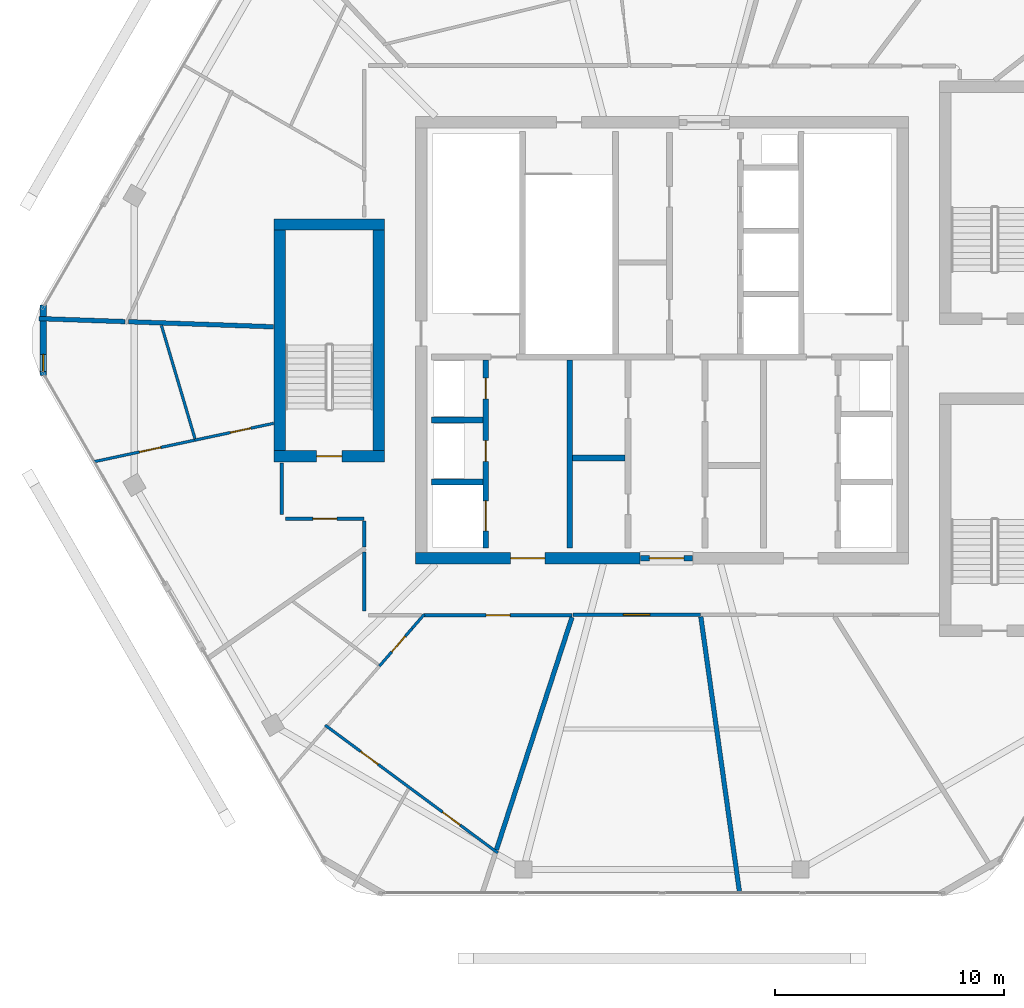
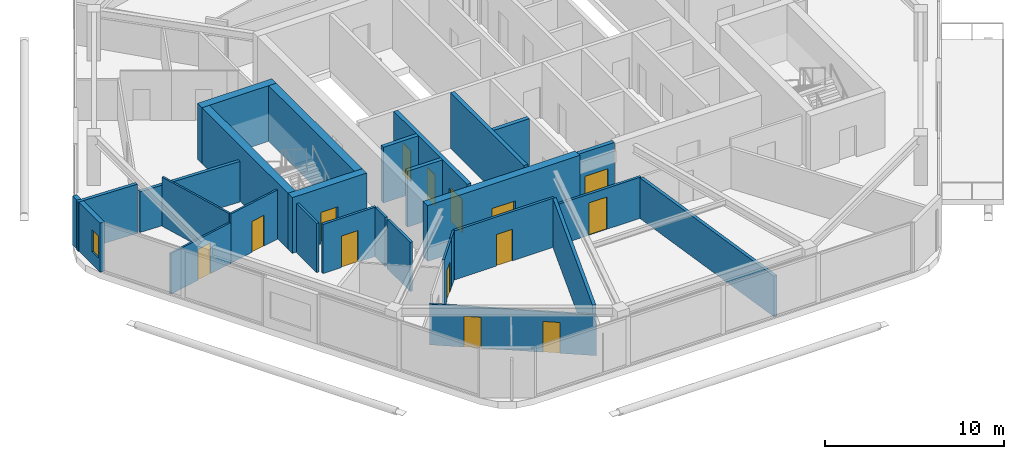
# One storey, part 16 of 22: 28 walls, 14 doors, 1 window, 15 openings.
"""IFC4 building model written with IfcOpenShell, lengths in metres."""

from ifc_helpers import new_model, si_unit, direction, frame, frame_2d, origin, place, context, subcontext, project, spatial, rectangle, extrude, material, layer, layer_set, type_object, element, fill, save


model = new_model("IFC4")

# Units and contexts
model_context = context("Model", 3, precision=1e-05, world=origin(), true_north=direction((0.0, 1.0)))
body_context = subcontext(model_context, "Body", "Model", "MODEL_VIEW")
ifc_project = project(units=[si_unit("LENGTHUNIT", "METRE"), si_unit("AREAUNIT", "SQUARE_METRE"), si_unit("VOLUMEUNIT", "CUBIC_METRE"), si_unit("PLANEANGLEUNIT", "RADIAN"), si_unit("MASSUNIT", "GRAM", prefix="KILO")], contexts=[model_context])

# Site, building, storey
site_placement = place(None, origin())
site = spatial("IfcSite", under=ifc_project, at=site_placement, CompositionType="ELEMENT")
building_placement = place(site_placement, origin())
building = spatial("IfcBuilding", under=site, at=building_placement, Name="Zuhravey Tower", CompositionType="ELEMENT")
storey_placement = place(building_placement, frame((0.0, 0.0, 357.60009765625)))
storey = spatial("IfcBuildingStorey", under=building, at=storey_placement, Name="L91", CompositionType="ELEMENT", Elevation=357.60009765625)

# Wall, opening, door
ifc_material_1 = material(Name="Concrete C50/60", Category="concrete")
ifc_layer_1 = layer(ifc_material_1, 0.5)
ifc_layer_set_1 = layer_set([ifc_layer_1], Name="Concrete C50/60")
wall_type_1 = type_object("IfcWallType", Name="Core Shear Wall 500", PredefinedType="SHEAR", material=ifc_layer_set_1)
wall_1_placement = place(storey_placement, frame((25.25, 22.5, 0.0), z_axis=(0.0, 0.0, 1.0), x_axis=(1.0, 0.0, 0.0)))
wall_1 = element("IfcWall", 1, at=wall_1_placement, inside=storey, type_object=wall_type_1, Name="L91 South-West Core Shear Wall CW50", PredefinedType="SHEAR", context=body_context, shape_type="SweptSolid", body=[
    extrude(rectangle(XDim=9.800048828125, YDim=0.5, at=frame_2d((4.89990234375, 0.0))), origin(), (0.0, 0.0, 1.0), 3.7998046875),
])
opening_1_placement = place(wall_1_placement, frame((4.14990234375, 0.0, 0.0)))
opening_1 = element("IfcOpeningElement", 2, at=opening_1_placement, cuts=wall_1, Name="Opening FFD1", PredefinedType="OPENING", context=body_context, shape_type="SweptSolid", body=[
    extrude(rectangle(XDim=1.5, YDim=2.14990234375, at=frame_2d((0.75, 1.074951171875))), frame((0.0, 0.261962890625, 0.0), z_axis=(0.0, -1.0, 0.0), x_axis=(1.0, 0.0, 0.0)), (0.0, 0.0, 1.0), 0.52392578125),
])
ifc_material_2 = material(Name="Galvanised fire-rated steel leaf", Category="steel")
door_type_1 = type_object("IfcDoorType", Name="Firefighting Lobby Double Door 1500x2150", OperationType="DOUBLE_DOOR_SINGLE_SWING", PredefinedType="DOOR", material=ifc_material_2)
door_1_placement = place(opening_1_placement, origin())
door_1 = element("IfcDoor", 3, at=door_1_placement, inside=storey, type_object=door_type_1, Name="L91 Firefighting Lobby West Door", OperationType="DOUBLE_DOOR_SINGLE_SWING", OverallHeight=2.14990234375, OverallWidth=1.5, PredefinedType="DOOR", context=body_context, shape_type="SweptSolid", body=[
    extrude(rectangle(XDim=1.5, YDim=2.14990234375, at=frame_2d((0.75, 1.074951171875))), frame((0.0, 0.02490234375, 0.0), z_axis=(0.0, -1.0, 0.0), x_axis=(1.0, 0.0, 0.0)), (0.0, 0.0, 1.0), 0.050048828125),
])
fill(opening_1, door_1)

wall_2_placement = place(storey_placement, frame((19.10009765625, 26.949951171875, 0.0), z_axis=(0.0, 0.0, 1.0), x_axis=(1.0, 0.0, 0.0)))
wall_2 = element("IfcWall", 4, at=wall_2_placement, inside=storey, type_object=wall_type_1, Name="L91 CST1 South Shaft Wall", PredefinedType="SHEAR", context=body_context, shape_type="SweptSolid", body=[
    extrude(rectangle(XDim=4.7998046875, YDim=0.5, at=frame_2d((2.39990234375, 0.0))), origin(), (0.0, 0.0, 1.0), 3.7998046875),
])
opening_2_placement = place(wall_2_placement, frame((1.85009765625, 0.0, 0.0)))
opening_2 = element("IfcOpeningElement", 5, at=opening_2_placement, cuts=wall_2, Name="Opening STD1", PredefinedType="OPENING", context=body_context, shape_type="SweptSolid", body=[
    extrude(rectangle(XDim=1.10009765625, YDim=2.14990234375, at=frame_2d((0.550048828125, 1.074951171875))), frame((0.0, 0.261962890625, 0.0), z_axis=(0.0, -1.0, 0.0), x_axis=(1.0, 0.0, 0.0)), (0.0, 0.0, 1.0), 0.52392578125),
])
door_type_2 = type_object("IfcDoorType", Name="Protected Stair Fire Door 1100x2150", OperationType="NOTDEFINED", PredefinedType="USERDEFINED", material=ifc_material_2)
door_2_placement = place(opening_2_placement, origin())
door_2 = element("IfcDoor", 6, at=door_2_placement, inside=storey, type_object=door_type_2, Name="L91 CST1 Transfer Door", ObjectType="EXITDOOR", OperationType="SINGLE_SWING_LEFT", OverallHeight=2.14990234375, OverallWidth=1.10009765625, PredefinedType="USERDEFINED", context=body_context, shape_type="SweptSolid", body=[
    extrude(rectangle(XDim=1.10009765625, YDim=2.14990234375, at=frame_2d((0.550048828125, 1.074951171875))), frame((0.0, 0.02490234375, 0.0), z_axis=(0.0, -1.0, 0.0), x_axis=(1.0, 0.0, 0.0)), (0.0, 0.0, 1.0), 0.050048828125),
])
fill(opening_2, door_2)

# Walls
wall_3_placement = place(storey_placement, frame((23.89990234375, 37.050048828125, 0.0), z_axis=(0.0, 0.0, 1.0), x_axis=(-1.0, 0.0, 0.0)))
element("IfcWall", 7, at=wall_3_placement, inside=storey, type_object=wall_type_1, Name="L91 CST1 North Shaft Wall", PredefinedType="SHEAR", context=body_context, shape_type="SweptSolid", body=[
    extrude(rectangle(XDim=4.7998046875, YDim=0.5, at=frame_2d((2.39990234375, 0.0))), origin(), (0.0, 0.0, 1.0), 3.7998046875),
])
for number, where, z_axis, x_axis, name in (
    (8, (19.35009765625, 27.199951171875, 0.0), (0.0, 0.0, 1.0), (0.0, 1.0, 0.0), "L91 CST1 West Shaft Wall"),
    (9, (23.64990234375, 36.800048828125, 0.0), (0.0, 0.0, 1.0), (0.0, -1.0, 0.0), "L91 CST1 East Shaft Wall"),
):
    element("IfcWall", number, at=place(storey_placement, frame(where, z_axis=z_axis, x_axis=x_axis)), inside=storey, type_object=wall_type_1, Name=name, PredefinedType="SHEAR", context=body_context, shape_type="SweptSolid", body=[
        extrude(rectangle(XDim=9.60009765625, YDim=0.5, at=frame_2d((4.800048828125, 0.0))), origin(), (0.0, 0.0, 1.0), 3.7998046875),
    ])

# Wall, opening, door
ifc_material_3 = material(Name="Gypsum fire-rated stud partition")
ifc_layer_2 = layer(ifc_material_3, 0.159912109375)
ifc_layer_set_2 = layer_set([ifc_layer_2], Name="Gypsum fire-rated stud partition")
wall_type_2 = type_object("IfcWallType", Name="Corridor Fire Partition 160", PredefinedType="PARTITIONING", material=ifc_layer_set_2)
wall_4_placement = place(storey_placement, frame((19.60009765625, 24.219970703125, 0.0), z_axis=(0.0, 0.0, 1.0), x_axis=(1.0, 0.0, 0.0)))
wall_4 = element("IfcWall", 10, at=wall_4_placement, inside=storey, type_object=wall_type_2, Name="L91 IW16 Partition 037", PredefinedType="PARTITIONING", context=body_context, shape_type="SweptSolid", body=[
    extrude(rectangle(XDim=3.419921875, YDim=0.159912109375, at=frame_2d((1.7099609375, 0.0))), origin(), (0.0, 0.0, 1.0), 3.349853515625),
])
opening_3_placement = place(wall_4_placement, frame((1.18505859375, 0.0, 0.0)))
opening_3 = element("IfcOpeningElement", 11, at=opening_3_placement, cuts=wall_4, Name="Opening APD1", PredefinedType="OPENING", context=body_context, shape_type="SweptSolid", body=[
    extrude(rectangle(XDim=1.050048828125, YDim=2.14990234375, at=frame_2d((0.52490234375, 1.074951171875))), frame((0.0, 0.092041015625, 0.0), z_axis=(0.0, -1.0, 0.0), x_axis=(1.0, 0.0, 0.0)), (0.0, 0.0, 1.0), 0.183837890625),
])
ifc_material_4 = material(Name="Solid-core oak fire-rated leaf")
door_type_3 = type_object("IfcDoorType", Name="Apartment Entrance Fire Door 1050x2150", OperationType="NOTDEFINED", PredefinedType="DOOR", material=ifc_material_4)
door_3_placement = place(opening_3_placement, frame((1.050048828125, 0.0, 0.0), z_axis=(0.0, 0.0, 1.0), x_axis=(-1.0, 0.0, 0.0)))
door_3 = element("IfcDoor", 12, at=door_3_placement, inside=storey, type_object=door_type_3, Name="L91 Door 037.1", OperationType="SINGLE_SWING_RIGHT", OverallHeight=2.14990234375, OverallWidth=1.050048828125, PredefinedType="DOOR", context=body_context, shape_type="SweptSolid", body=[
    extrude(rectangle(XDim=1.050048828125, YDim=2.14990234375, at=frame_2d((0.52490234375, 1.074951171875))), frame((0.0, 0.02490234375, 0.0), z_axis=(0.0, -1.0, 0.0), x_axis=(1.0, 0.0, 0.0)), (0.0, 0.0, 1.0), 0.050048828125),
])
fill(opening_3, door_3)

wall_5_placement = place(storey_placement, frame((25.634521484375, 20.02001953125, 0.0), z_axis=(0.0, 0.0, 1.0), x_axis=(1.0, 0.0, 0.0)))
wall_5 = element("IfcWall", 13, at=wall_5_placement, inside=storey, type_object=wall_type_2, Name="L91 IW16 Partition 042", PredefinedType="PARTITIONING", context=body_context, shape_type="SweptSolid", body=[
    extrude(rectangle(XDim=6.451904296875, YDim=0.159912109375, at=frame_2d((3.22607421875, 0.0))), origin(), (0.0, 0.0, 1.0), 3.349853515625),
])
opening_4_placement = place(wall_5_placement, frame((2.700927734375, 0.0, 0.0)))
opening_4 = element("IfcOpeningElement", 14, at=opening_4_placement, cuts=wall_5, Name="Opening APD1", PredefinedType="OPENING", context=body_context, shape_type="SweptSolid", body=[
    extrude(rectangle(XDim=1.050048828125, YDim=2.14990234375, at=frame_2d((0.52490234375, 1.074951171875))), frame((0.0, 0.092041015625, 0.0), z_axis=(0.0, -1.0, 0.0), x_axis=(1.0, 0.0, 0.0)), (0.0, 0.0, 1.0), 0.183837890625),
])
door_4_placement = place(opening_4_placement, frame((1.050048828125, 0.0, 0.0), z_axis=(0.0, 0.0, 1.0), x_axis=(-1.0, 0.0, 0.0)))
door_4 = element("IfcDoor", 15, at=door_4_placement, inside=storey, type_object=door_type_3, Name="L91 Door 042.1", OperationType="SINGLE_SWING_LEFT", OverallHeight=2.14990234375, OverallWidth=1.050048828125, PredefinedType="DOOR", context=body_context, shape_type="SweptSolid", body=[
    extrude(rectangle(XDim=1.050048828125, YDim=2.14990234375, at=frame_2d((0.52490234375, 1.074951171875))), frame((0.0, 0.02490234375, 0.0), z_axis=(0.0, -1.0, 0.0), x_axis=(1.0, 0.0, 0.0)), (0.0, 0.0, 1.0), 0.050048828125),
])
fill(opening_4, door_4)

wall_6_placement = place(storey_placement, frame((32.114013671875, 20.0400390625, 0.0), z_axis=(0.0, 0.0, 1.0), x_axis=(1.0, 0.0, 0.0)))
wall_6 = element("IfcWall", 16, at=wall_6_placement, inside=storey, type_object=wall_type_2, Name="L91 IW16 Partition 043", PredefinedType="PARTITIONING", context=body_context, shape_type="SweptSolid", body=[
    extrude(rectangle(XDim=5.56689453125, YDim=0.159912109375, at=frame_2d((2.783447265625, 0.0))), origin(), (0.0, 0.0, 1.0), 2.7998046875),
])
opening_5_placement = place(wall_6_placement, frame((2.20849609375, 0.0, 0.0)))
opening_5 = element("IfcOpeningElement", 17, at=opening_5_placement, cuts=wall_6, Name="Opening CLD1", PredefinedType="OPENING", context=body_context, shape_type="SweptSolid", body=[
    extrude(rectangle(XDim=1.14990234375, YDim=2.199951171875, at=frame_2d((0.574951171875, 1.10009765625))), frame((0.0, 0.092041015625, 0.0), z_axis=(0.0, -1.0, 0.0), x_axis=(1.0, 0.0, 0.0)), (0.0, 0.0, 1.0), 0.183837890625),
])
ifc_material_5 = material(Name="Acoustic timber leaf with vision lite", Category="wood")
door_type_4 = type_object("IfcDoorType", Name="Classroom Acoustic Door 1150x2200", OperationType="NOTDEFINED", PredefinedType="DOOR", material=ifc_material_5)
door_5_placement = place(opening_5_placement, frame((1.14990234375, 0.0, 0.0), z_axis=(0.0, 0.0, 1.0), x_axis=(-1.0, 0.0, 0.0)))
door_5 = element("IfcDoor", 18, at=door_5_placement, inside=storey, type_object=door_type_4, Name="L91 Door 043.1", OperationType="SINGLE_SWING_RIGHT", OverallHeight=2.199951171875, OverallWidth=1.14990234375, PredefinedType="DOOR", context=body_context, shape_type="SweptSolid", body=[
    extrude(rectangle(XDim=1.14990234375, YDim=2.199951171875, at=frame_2d((0.574951171875, 1.10009765625))), frame((0.0, 0.02490234375, 0.0), z_axis=(0.0, -1.0, 0.0), x_axis=(1.0, 0.0, 0.0)), (0.0, 0.0, 1.0), 0.050048828125),
])
fill(opening_5, door_5)

# Walls
wall_7_placement = place(storey_placement, frame((19.419921875, 26.64990234375, 0.0), z_axis=(0.0, 0.0, 1.0), x_axis=(0.0, -1.0, 0.0)))
element("IfcWall", 19, at=wall_7_placement, inside=storey, type_object=wall_type_2, Name="L91 IW16 Partition 081", PredefinedType="PARTITIONING", context=body_context, shape_type="SweptSolid", body=[
    extrude(rectangle(XDim=2.25, YDim=0.159912109375, at=frame_2d((1.125, 0.0))), origin(), (0.0, 0.0, 1.0), 3.349853515625),
])
wall_8_placement = place(storey_placement, frame((23.02001953125, 24.132080078125, 0.0), z_axis=(0.0, 0.0, 1.0), x_axis=(0.0, -1.0, 0.0)))
element("IfcWall", 20, at=wall_8_placement, inside=storey, type_object=wall_type_2, Name="L91 IW16 Partition 082", PredefinedType="PARTITIONING", context=body_context, shape_type="SweptSolid", body=[
    extrude(rectangle(XDim=1.1357421875, YDim=0.159912109375, at=frame_2d((0.56787109375, 0.0))), origin(), (0.0, 0.0, 1.0), 3.349853515625),
])
wall_9_placement = place(storey_placement, frame((23.02001953125, 22.779296875, 0.0), z_axis=(0.0, 0.0, 1.0), x_axis=(0.0, -1.0, 0.0)))
element("IfcWall", 21, at=wall_9_placement, inside=storey, type_object=wall_type_2, Name="L91 IW16 Partition 083", PredefinedType="PARTITIONING", context=body_context, shape_type="SweptSolid", body=[
    extrude(rectangle(XDim=2.579345703125, YDim=0.159912109375, at=frame_2d((1.28955078125, 0.0))), origin(), (0.0, 0.0, 1.0), 3.349853515625),
])

# Wall, opening, window
ifc_material_6 = material(Name="Precast concrete C40/50", Category="concrete")
ifc_layer_3 = layer(ifc_material_6, 0.280029296875)
ifc_layer_set_3 = layer_set([ifc_layer_3], Name="Precast concrete C40/50")
wall_type_3 = type_object("IfcWallType", Name="Crown Architectural Wall 280", PredefinedType="SOLIDWALL", material=ifc_layer_set_3)
wall_10_placement = place(storey_placement, frame((9.031494140625, 30.467529296875, 0.0), z_axis=(0.0, 0.0, 1.0), x_axis=(0.0, 1.0, 0.0)))
wall_10 = element("IfcWall", 22, at=wall_10_placement, inside=storey, type_object=wall_type_3, Name="L91 Rounded Corner Closure Wall EW28-06", PredefinedType="SOLIDWALL", context=body_context, shape_type="SweptSolid", body=[
    extrude(rectangle(XDim=3.06494140625, YDim=0.280029296875, at=frame_2d((1.532470703125, 0.0))), origin(), (0.0, 0.0, 1.0), 3.349853515625),
])
opening_6_placement = place(wall_10_placement, frame((0.1728515625, 0.0, 0.85009765625)))
opening_6 = element("IfcOpeningElement", 23, at=opening_6_placement, cuts=wall_10, Name="Opening WN5", PredefinedType="OPENING", context=body_context, shape_type="SweptSolid", body=[
    extrude(rectangle(XDim=0.75, YDim=1.5, at=frame_2d((0.375, 0.75))), frame((0.0, 0.152099609375, 0.0), z_axis=(0.0, -1.0, 0.0), x_axis=(1.0, 0.0, 0.0)), (0.0, 0.0, 1.0), 0.303955078125),
])
ifc_material_7 = material(Name="Thermally broken aluminium and triple low-E glass", Category="aluminium")
window_type = type_object("IfcWindowType", Name="Residential Corner Casement Window 750x1500", PartitioningType="SINGLE_PANEL", PredefinedType="WINDOW", material=ifc_material_7)
window_placement = place(opening_6_placement, origin())
window = element("IfcWindow", 24, at=window_placement, inside=storey, type_object=window_type, Name="L91 Corner Casement Window WN5-06.1", OverallHeight=1.5, OverallWidth=0.75, PartitioningType="SINGLE_PANEL", PredefinedType="WINDOW", context=body_context, shape_type="SweptSolid", body=[
    extrude(rectangle(XDim=0.75, YDim=1.5, at=frame_2d((0.375, 0.75))), frame((0.0, 0.030029296875, 0.0), z_axis=(0.0, -1.0, 0.0), x_axis=(1.0, 0.0, 0.0)), (0.0, 0.0, 1.0), 0.06005859375),
])
fill(opening_6, window)

# Wall, opening, door
ifc_layer_4 = layer(ifc_material_1, 0.25)
ifc_layer_set_4 = layer_set([ifc_layer_4], Name="Concrete C50/60")
wall_type_4 = type_object("IfcWallType", Name="Firefighting Shaft & Stair Wall 250", PredefinedType="SOLIDWALL", material=ifc_layer_set_4)
wall_11_placement = place(storey_placement, frame((35.06005859375, 22.5, 0.0), z_axis=(0.0, 0.0, 1.0), x_axis=(1.0, 0.0, 0.0)))
wall_11 = element("IfcWall", 25, at=wall_11_placement, inside=storey, type_object=wall_type_4, Name="L91 FW25 Shaft Wall 001", PredefinedType="SOLIDWALL", context=body_context, shape_type="SweptSolid", body=[
    extrude(rectangle(XDim=2.280029296875, YDim=0.25, at=frame_2d((1.14013671875, 0.0))), origin(), (0.0, 0.0, 1.0), 3.7998046875),
])
opening_7_placement = place(wall_11_placement, frame((0.389892578125, 0.0, 0.0)))
opening_7 = element("IfcOpeningElement", 26, at=opening_7_placement, cuts=wall_11, Name="Opening FFD1", PredefinedType="OPENING", context=body_context, shape_type="SweptSolid", body=[
    extrude(rectangle(XDim=1.5, YDim=2.14990234375, at=frame_2d((0.75, 1.074951171875))), frame((0.0, 0.136962890625, 0.0), z_axis=(0.0, -1.0, 0.0), x_axis=(1.0, 0.0, 0.0)), (0.0, 0.0, 1.0), 0.27392578125),
])
door_6_placement = place(opening_7_placement, frame((1.5, 0.0, 0.0), z_axis=(0.0, 0.0, 1.0), x_axis=(-1.0, 0.0, 0.0)))
door_6 = element("IfcDoor", 27, at=door_6_placement, inside=storey, type_object=door_type_1, Name="L91 South Lift Lobby Exit Door", OperationType="DOUBLE_DOOR_SINGLE_SWING", OverallHeight=2.14990234375, OverallWidth=1.5, PredefinedType="DOOR", context=body_context, shape_type="SweptSolid", body=[
    extrude(rectangle(XDim=1.5, YDim=2.14990234375, at=frame_2d((0.75, 1.074951171875))), frame((0.0, 0.02490234375, 0.0), z_axis=(0.0, -1.0, 0.0), x_axis=(1.0, 0.0, 0.0)), (0.0, 0.0, 1.0), 0.050048828125),
])
fill(opening_7, door_6)

# Walls
for number, where, z_axis, x_axis, name in (
    (28, (25.949951171875, 25.824951171875, 0.0), (0.0, 0.0, 1.0), (1.0, 0.0, 0.0), "L91 FW25 Shaft Wall 009"),
    (29, (25.949951171875, 28.52490234375, 0.0), (0.0, 0.0, 1.0), (1.0, 0.0, 0.0), "L91 FW25 Shaft Wall 010"),
):
    element("IfcWall", number, at=place(storey_placement, frame(where, z_axis=z_axis, x_axis=x_axis)), inside=storey, type_object=wall_type_4, Name=name, PredefinedType="SOLIDWALL", context=body_context, shape_type="SweptSolid", body=[
        extrude(rectangle(XDim=2.25, YDim=0.25, at=frame_2d((1.125, 0.0))), origin(), (0.0, 0.0, 1.0), 3.7998046875),
    ])

# Wall, openings, doors
wall_12_placement = place(storey_placement, frame((28.324951171875, 22.949951171875, 0.0), z_axis=(0.0, 0.0, 1.0), x_axis=(0.0, 1.0, 0.0)))
wall_12 = element("IfcWall", 30, at=wall_12_placement, inside=storey, type_object=wall_type_4, Name="L91 FW25 Shaft Wall 011", PredefinedType="SOLIDWALL", context=body_context, shape_type="SweptSolid", body=[
    extrude(rectangle(XDim=8.199951171875, YDim=0.25, at=frame_2d((4.10009765625, 0.0))), origin(), (0.0, 0.0, 1.0), 3.7998046875),
])
opening_8_placement = place(wall_12_placement, frame((0.75, 0.0, 0.0)))
opening_8 = element("IfcOpeningElement", 31, at=opening_8_placement, cuts=wall_12, Name="Opening LD2", PredefinedType="OPENING", context=body_context, shape_type="SweptSolid", body=[
    extrude(rectangle(XDim=1.300048828125, YDim=2.300048828125, at=frame_2d((0.64990234375, 1.14990234375))), frame((0.0, 0.136962890625, 0.0), z_axis=(0.0, -1.0, 0.0), x_axis=(1.0, 0.0, 0.0)), (0.0, 0.0, 1.0), 0.27392578125),
])
opening_9_placement = place(wall_12_placement, frame((3.780029296875, 0.0, 0.0)))
opening_9 = element("IfcOpeningElement", 32, at=opening_9_placement, cuts=wall_12, Name="Opening RSD1", PredefinedType="OPENING", context=body_context, shape_type="SweptSolid", body=[
    extrude(rectangle(XDim=0.89990234375, YDim=2.10009765625, at=frame_2d((0.449951171875, 1.050048828125))), frame((0.0, 0.136962890625, 0.0), z_axis=(0.0, -1.0, 0.0), x_axis=(1.0, 0.0, 0.0)), (0.0, 0.0, 1.0), 0.27392578125),
])
opening_10_placement = place(wall_12_placement, frame((6.5, 0.0, 0.0)))
opening_10 = element("IfcOpeningElement", 33, at=opening_10_placement, cuts=wall_12, Name="Opening RSD1", PredefinedType="OPENING", context=body_context, shape_type="SweptSolid", body=[
    extrude(rectangle(XDim=0.89990234375, YDim=2.10009765625, at=frame_2d((0.449951171875, 1.050048828125))), frame((0.0, 0.136962890625, 0.0), z_axis=(0.0, -1.0, 0.0), x_axis=(1.0, 0.0, 0.0)), (0.0, 0.0, 1.0), 0.27392578125),
])
ifc_material_8 = material(Name="Brushed stainless steel", Category="steel")
door_type_5 = type_object("IfcDoorType", Name="Freight & Stretcher Lift Sliding Door 1300x2300", OperationType="DOUBLE_DOOR_SLIDING", PredefinedType="DOOR", material=ifc_material_8)
door_7_placement = place(opening_8_placement, frame((1.300048828125, 0.0, 0.0), z_axis=(0.0, 0.0, 1.0), x_axis=(-1.0, 0.0, 0.0)))
door_7 = element("IfcDoor", 34, at=door_7_placement, inside=storey, type_object=door_type_5, Name="L91 Lift FF1 Landing Door", OperationType="DOUBLE_DOOR_SLIDING", OverallHeight=2.300048828125, OverallWidth=1.300048828125, PredefinedType="DOOR", context=body_context, shape_type="SweptSolid", body=[
    extrude(rectangle(XDim=1.300048828125, YDim=2.300048828125, at=frame_2d((0.64990234375, 1.14990234375))), frame((0.0, 0.02490234375, 0.0), z_axis=(0.0, -1.0, 0.0), x_axis=(1.0, 0.0, 0.0)), (0.0, 0.0, 1.0), 0.050048828125),
])
fill(opening_8, door_7)
ifc_material_9 = material(Name="Galvanised fire-rated steel access leaf", Category="steel")
door_type_6 = type_object("IfcDoorType", Name="Riser & Shaft Access Fire Door 900x2100", OperationType="NOTDEFINED", PredefinedType="DOOR", material=ifc_material_9)
door_8_placement = place(opening_9_placement, frame((0.89990234375, 0.0, 0.0), z_axis=(0.0, 0.0, 1.0), x_axis=(-1.0, 0.0, 0.0)))
door_8 = element("IfcDoor", 35, at=door_8_placement, inside=storey, type_object=door_type_6, Name="L91 Electrical Riser Door", OperationType="SINGLE_SWING_RIGHT", OverallHeight=2.10009765625, OverallWidth=0.89990234375, PredefinedType="DOOR", context=body_context, shape_type="SweptSolid", body=[
    extrude(rectangle(XDim=0.89990234375, YDim=2.10009765625, at=frame_2d((0.449951171875, 1.050048828125))), frame((0.0, 0.02490234375, 0.0), z_axis=(0.0, -1.0, 0.0), x_axis=(1.0, 0.0, 0.0)), (0.0, 0.0, 1.0), 0.050048828125),
])
fill(opening_9, door_8)
door_9_placement = place(opening_10_placement, frame((0.89990234375, 0.0, 0.0), z_axis=(0.0, 0.0, 1.0), x_axis=(-1.0, 0.0, 0.0)))
door_9 = element("IfcDoor", 36, at=door_9_placement, inside=storey, type_object=door_type_6, Name="L91 Smoke Shaft Access Door", OperationType="SINGLE_SWING_LEFT", OverallHeight=2.10009765625, OverallWidth=0.89990234375, PredefinedType="DOOR", context=body_context, shape_type="SweptSolid", body=[
    extrude(rectangle(XDim=0.89990234375, YDim=2.10009765625, at=frame_2d((0.449951171875, 1.050048828125))), frame((0.0, 0.02490234375, 0.0), z_axis=(0.0, -1.0, 0.0), x_axis=(1.0, 0.0, 0.0)), (0.0, 0.0, 1.0), 0.050048828125),
])
fill(opening_10, door_9)

# Walls
wall_13_placement = place(storey_placement, frame((31.97509765625, 22.949951171875, 0.0), z_axis=(0.0, 0.0, 1.0), x_axis=(0.0, 1.0, 0.0)))
element("IfcWall", 37, at=wall_13_placement, inside=storey, type_object=wall_type_4, Name="L91 FW25 Shaft Wall 012", PredefinedType="SOLIDWALL", context=body_context, shape_type="SweptSolid", body=[
    extrude(rectangle(XDim=8.199951171875, YDim=0.25, at=frame_2d((4.10009765625, 0.0))), origin(), (0.0, 0.0, 1.0), 3.7998046875),
])
wall_14_placement = place(storey_placement, frame((32.10009765625, 26.875, 0.0), z_axis=(0.0, 0.0, 1.0), x_axis=(1.0, 0.0, 0.0)))
element("IfcWall", 38, at=wall_14_placement, inside=storey, type_object=wall_type_4, Name="L91 FW25 Shaft Wall 013", PredefinedType="SOLIDWALL", context=body_context, shape_type="SweptSolid", body=[
    extrude(rectangle(XDim=2.2998046875, YDim=0.25, at=frame_2d((1.14990234375, 0.0))), origin(), (0.0, 0.0, 1.0), 3.7998046875),
])
ifc_material_10 = material(Name="Gypsum double-stud party assembly")
ifc_layer_5 = layer(ifc_material_10, 0.199951171875)
ifc_layer_set_5 = layer_set([ifc_layer_5], Name="Gypsum double-stud party assembly")
wall_type_5 = type_object("IfcWallType", Name="Inter-Tenancy Party Wall 200", PredefinedType="PARTITIONING", material=ifc_layer_set_5)
wall_15_placement = place(storey_placement, frame((19.070068359375, 32.59130859375, 0.0), z_axis=(0.0, 0.0, 1.0), x_axis=(-0.999391476656, 0.034880888572, 0.0)))
element("IfcWall", 39, at=wall_15_placement, inside=storey, type_object=wall_type_5, Name="L91 IW20 Partition 065", PredefinedType="PARTITIONING", context=body_context, shape_type="SweptSolid", body=[
    extrude(rectangle(XDim=6.327392578125, YDim=0.199951171875, at=frame_2d((3.16357421875, 0.0))), origin(), (0.0, 0.0, 1.0), 2.77001953125),
])
wall_16_placement = place(storey_placement, frame((12.599609375, 32.817138671875, 0.0), z_axis=(0.0, 0.0, 1.0), x_axis=(-0.999391933242, 0.034867804219, 0.0)))
element("IfcWall", 40, at=wall_16_placement, inside=storey, type_object=wall_type_5, Name="L91 IW20 Partition 066", PredefinedType="PARTITIONING", context=body_context, shape_type="SweptSolid", body=[
    extrude(rectangle(XDim=3.7529296875, YDim=0.199951171875, at=frame_2d((1.87646484375, 0.0))), origin(), (0.0, 0.0, 1.0), 3.349853515625),
])
wall_17_placement = place(storey_placement, frame((32.078857421875, 19.931884765625, 0.0), z_axis=(0.0, 0.0, 1.0), x_axis=(-0.309001185402, -0.951061652796, 0.0)))
element("IfcWall", 41, at=wall_17_placement, inside=storey, type_object=wall_type_5, Name="L91 IW20 Partition 072", PredefinedType="PARTITIONING", context=body_context, shape_type="SweptSolid", body=[
    extrude(rectangle(XDim=10.66552734375, YDim=0.199951171875, at=frame_2d((5.332763671875, 0.0))), origin(), (0.0, 0.0, 1.0), 3.349853515625),
])
wall_18_placement = place(storey_placement, frame((37.693359375, 19.951904296875, 0.0), z_axis=(0.0, 0.0, 1.0), x_axis=(0.139155339123, -0.990270564843, 0.0)))
element("IfcWall", 42, at=wall_18_placement, inside=storey, type_object=wall_type_5, Name="L91 IW20 Partition 074", PredefinedType="PARTITIONING", context=body_context, shape_type="SweptSolid", body=[
    extrude(rectangle(XDim=12.144287109375, YDim=0.199951171875, at=frame_2d((6.072265625, 0.0))), origin(), (0.0, 0.0, 1.0), 2.77001953125),
])

# Wall, opening, door
ifc_material_11 = material(Name="Gypsum metal-stud partition")
ifc_layer_6 = layer(ifc_material_11, 0.1201171875)
ifc_layer_set_6 = layer_set([ifc_layer_6], Name="Gypsum metal-stud partition")
wall_type_6 = type_object("IfcWallType", Name="Unit Internal Partition 120", PredefinedType="PARTITIONING", material=ifc_layer_set_6)
wall_19_placement = place(storey_placement, frame((19.074951171875, 28.384033203125, 0.0), z_axis=(0.0, 0.0, 1.0), x_axis=(-0.977920196039, -0.208978683552, 0.0)))
wall_19 = element("IfcWall", 43, at=wall_19_placement, inside=storey, type_object=wall_type_6, Name="L91 IW12 Partition 035", PredefinedType="PARTITIONING", context=body_context, shape_type="SweptSolid", body=[
    extrude(rectangle(XDim=3.51416015625, YDim=0.1201171875, at=frame_2d((1.757080078125, 0.0))), origin(), (0.0, 0.0, 1.0), 3.349853515625),
])
opening_11_placement = place(wall_19_placement, frame((1.02587890625, 0.0, 0.0)))
opening_11 = element("IfcOpeningElement", 44, at=opening_11_placement, cuts=wall_19, Name="Opening WCD1", PredefinedType="OPENING", context=body_context, shape_type="SweptSolid", body=[
    extrude(rectangle(XDim=0.89990234375, YDim=2.10009765625, at=frame_2d((0.449951171875, 1.050048828125))), frame((0.0, 0.072021484375, 0.0), z_axis=(0.0, -1.0, 0.0), x_axis=(1.0, 0.0, 0.0)), (0.0, 0.0, 1.0), 0.14404296875),
])
ifc_material_12 = material(Name="Moisture-resistant timber leaf", Category="wood")
door_type_7 = type_object("IfcDoorType", Name="Bathroom & WC Internal Door 900x2100", OperationType="NOTDEFINED", PredefinedType="DOOR", material=ifc_material_12)
door_10_placement = place(opening_11_placement, frame((0.89990234375, 0.0, 0.0), z_axis=(0.0, 0.0, 1.0), x_axis=(-1.0, 0.0, 0.0)))
door_10 = element("IfcDoor", 45, at=door_10_placement, inside=storey, type_object=door_type_7, Name="Apartment L91-03 Bathroom Door", OperationType="SINGLE_SWING_RIGHT", OverallHeight=2.10009765625, OverallWidth=0.89990234375, PredefinedType="DOOR", context=body_context, shape_type="SweptSolid", body=[
    extrude(rectangle(XDim=0.89990234375, YDim=2.10009765625, at=frame_2d((0.449951171875, 1.050048828125))), frame((0.0, 0.02490234375, 0.0), z_axis=(0.0, -1.0, 0.0), x_axis=(1.0, 0.0, 0.0)), (0.0, 0.0, 1.0), 0.050048828125),
])
fill(opening_11, door_10)

wall_20_placement = place(storey_placement, frame((15.638427734375, 27.649658203125, 0.0), z_axis=(0.0, 0.0, 1.0), x_axis=(-0.977931973844, -0.208923561462, 0.0)))
wall_20 = element("IfcWall", 46, at=wall_20_placement, inside=storey, type_object=wall_type_6, Name="L91 IW12 Partition 036", PredefinedType="PARTITIONING", context=body_context, shape_type="SweptSolid", body=[
    extrude(rectangle(XDim=4.488525390625, YDim=0.1201171875, at=frame_2d((2.244140625, 0.0))), origin(), (0.0, 0.0, 1.0), 2.77001953125),
])
opening_12_placement = place(wall_20_placement, frame((1.517333984375, 0.0, 0.0)))
opening_12 = element("IfcOpeningElement", 47, at=opening_12_placement, cuts=wall_20, Name="Opening IND1", PredefinedType="OPENING", context=body_context, shape_type="SweptSolid", body=[
    extrude(rectangle(XDim=0.949951171875, YDim=2.10009765625, at=frame_2d((0.47509765625, 1.050048828125))), frame((0.0, 0.072021484375, 0.0), z_axis=(0.0, -1.0, 0.0), x_axis=(1.0, 0.0, 0.0)), (0.0, 0.0, 1.0), 0.14404296875),
])
ifc_material_13 = material(Name="Painted engineered timber leaf", Category="wood")
door_type_8 = type_object("IfcDoorType", Name="Internal Room & Bedroom Door 950x2100", OperationType="NOTDEFINED", PredefinedType="DOOR", material=ifc_material_13)
door_11_placement = place(opening_12_placement, frame((0.949951171875, 0.0, 0.0), z_axis=(0.0, 0.0, 1.0), x_axis=(-1.0, 0.0, 0.0)))
door_11 = element("IfcDoor", 48, at=door_11_placement, inside=storey, type_object=door_type_8, Name="Apartment L91-03 Bedroom 1 Door", OperationType="SINGLE_SWING_LEFT", OverallHeight=2.10009765625, OverallWidth=0.949951171875, PredefinedType="DOOR", context=body_context, shape_type="SweptSolid", body=[
    extrude(rectangle(XDim=0.949951171875, YDim=2.10009765625, at=frame_2d((0.47509765625, 1.050048828125))), frame((0.0, 0.02490234375, 0.0), z_axis=(0.0, -1.0, 0.0), x_axis=(1.0, 0.0, 0.0)), (0.0, 0.0, 1.0), 0.050048828125),
])
fill(opening_12, door_11)

# Wall, openings, doors
wall_21_placement = place(storey_placement, frame((21.318359375, 15.227294921875, 0.0), z_axis=(0.0, 0.0, 1.0), x_axis=(0.803862842845, -0.594814702149, 0.0)))
wall_21 = element("IfcWall", 49, at=wall_21_placement, inside=storey, type_object=wall_type_6, Name="L91 IW12 Partition 038", PredefinedType="PARTITIONING", context=body_context, shape_type="SweptSolid", body=[
    extrude(rectangle(XDim=9.364013671875, YDim=0.1201171875, at=frame_2d((4.68212890625, 0.0))), origin(), (0.0, 0.0, 1.0), 2.77001953125),
])
opening_13_placement = place(wall_21_placement, frame((1.92822265625, 0.0, 0.0)))
opening_13 = element("IfcOpeningElement", 50, at=opening_13_placement, cuts=wall_21, Name="Opening IND1", PredefinedType="OPENING", context=body_context, shape_type="SweptSolid", body=[
    extrude(rectangle(XDim=0.949951171875, YDim=2.10009765625, at=frame_2d((0.47509765625, 1.050048828125))), frame((0.0, 0.072021484375, 0.0), z_axis=(0.0, -1.0, 0.0), x_axis=(1.0, 0.0, 0.0)), (0.0, 0.0, 1.0), 0.14404296875),
])
opening_14_placement = place(wall_21_placement, frame((6.369384765625, 0.0, 0.0)))
opening_14 = element("IfcOpeningElement", 51, at=opening_14_placement, cuts=wall_21, Name="Opening IND1", PredefinedType="OPENING", context=body_context, shape_type="SweptSolid", body=[
    extrude(rectangle(XDim=0.949951171875, YDim=2.10009765625, at=frame_2d((0.47509765625, 1.050048828125))), frame((0.0, 0.072021484375, 0.0), z_axis=(0.0, -1.0, 0.0), x_axis=(1.0, 0.0, 0.0)), (0.0, 0.0, 1.0), 0.14404296875),
])
door_12_placement = place(opening_13_placement, frame((0.949951171875, 0.0, 0.0), z_axis=(0.0, 0.0, 1.0), x_axis=(-1.0, 0.0, 0.0)))
door_12 = element("IfcDoor", 52, at=door_12_placement, inside=storey, type_object=door_type_8, Name="Apartment L91-04 Family Study Door", OperationType="SINGLE_SWING_LEFT", OverallHeight=2.10009765625, OverallWidth=0.949951171875, PredefinedType="DOOR", context=body_context, shape_type="SweptSolid", body=[
    extrude(rectangle(XDim=0.949951171875, YDim=2.10009765625, at=frame_2d((0.47509765625, 1.050048828125))), frame((0.0, 0.02490234375, 0.0), z_axis=(0.0, -1.0, 0.0), x_axis=(1.0, 0.0, 0.0)), (0.0, 0.0, 1.0), 0.050048828125),
])
fill(opening_13, door_12)
door_13_placement = place(opening_14_placement, frame((0.949951171875, 0.0, 0.0), z_axis=(0.0, 0.0, 1.0), x_axis=(-1.0, 0.0, 0.0)))
door_13 = element("IfcDoor", 53, at=door_13_placement, inside=storey, type_object=door_type_8, Name="Apartment L91-04 Dining Room Door", OperationType="SINGLE_SWING_RIGHT", OverallHeight=2.10009765625, OverallWidth=0.949951171875, PredefinedType="DOOR", context=body_context, shape_type="SweptSolid", body=[
    extrude(rectangle(XDim=0.949951171875, YDim=2.10009765625, at=frame_2d((0.47509765625, 1.050048828125))), frame((0.0, 0.02490234375, 0.0), z_axis=(0.0, -1.0, 0.0), x_axis=(1.0, 0.0, 0.0)), (0.0, 0.0, 1.0), 0.050048828125),
])
fill(opening_14, door_13)

# Wall, opening, door
wall_22_placement = place(storey_placement, frame((25.113525390625, 19.449951171875, 0.0), z_axis=(0.0, 0.0, 1.0), x_axis=(-0.65532612628, -0.755346058582, 0.0)))
wall_22 = element("IfcWall", 54, at=wall_22_placement, inside=storey, type_object=wall_type_6, Name="L91 IW12 Partition 039", PredefinedType="PARTITIONING", context=body_context, shape_type="SweptSolid", body=[
    extrude(rectangle(XDim=2.1845703125, YDim=0.1201171875, at=frame_2d((1.09228515625, 0.0))), origin(), (0.0, 0.0, 1.0), 3.349853515625),
])
opening_15_placement = place(wall_22_placement, frame((0.467529296875, 0.0, 0.0)))
opening_15 = element("IfcOpeningElement", 55, at=opening_15_placement, cuts=wall_22, Name="Opening WCD1", PredefinedType="OPENING", context=body_context, shape_type="SweptSolid", body=[
    extrude(rectangle(XDim=0.89990234375, YDim=2.10009765625, at=frame_2d((0.449951171875, 1.050048828125))), frame((0.0, 0.072021484375, 0.0), z_axis=(0.0, -1.0, 0.0), x_axis=(1.0, 0.0, 0.0)), (0.0, 0.0, 1.0), 0.14404296875),
])
door_14_placement = place(opening_15_placement, frame((0.89990234375, 0.0, 0.0), z_axis=(0.0, 0.0, 1.0), x_axis=(-1.0, 0.0, 0.0)))
door_14 = element("IfcDoor", 56, at=door_14_placement, inside=storey, type_object=door_type_7, Name="Apartment L91-04 Bathroom Door", OperationType="SINGLE_SWING_LEFT", OverallHeight=2.10009765625, OverallWidth=0.89990234375, PredefinedType="DOOR", context=body_context, shape_type="SweptSolid", body=[
    extrude(rectangle(XDim=0.89990234375, YDim=2.10009765625, at=frame_2d((0.449951171875, 1.050048828125))), frame((0.0, 0.02490234375, 0.0), z_axis=(0.0, -1.0, 0.0), x_axis=(1.0, 0.0, 0.0)), (0.0, 0.0, 1.0), 0.050048828125),
])
fill(opening_15, door_14)

# Walls
wall_23_placement = place(storey_placement, frame((14.18212890625, 32.65380859375, 0.0), z_axis=(0.0, 0.0, 1.0), x_axis=(0.284020478518, -0.958818214148, 0.0)))
element("IfcWall", 57, at=wall_23_placement, inside=storey, type_object=wall_type_6, Name="L91 IW12 Partition 067", PredefinedType="PARTITIONING", context=body_context, shape_type="SweptSolid", body=[
    extrude(rectangle(XDim=5.1455078125, YDim=0.1201171875, at=frame_2d((2.57275390625, 0.0))), origin(), (0.0, 0.0, 1.0), 3.349853515625),
])
wall_24_placement = place(storey_placement, frame((25.634521484375, 20.050537109375, 0.0), z_axis=(0.0, 0.0, 1.0), x_axis=(-0.655281179035, -0.755385051746, 0.0)))
element("IfcWall", 58, at=wall_24_placement, inside=storey, type_object=wall_type_6, Name="L91 IW12 Partition 070", PredefinedType="PARTITIONING", context=body_context, shape_type="SweptSolid", body=[
    extrude(rectangle(XDim=0.795166015625, YDim=0.1201171875, at=frame_2d((0.3974609375, 0.0))), origin(), (0.0, 0.0, 1.0), 3.349853515625),
])

save(model, "model.ifc")
